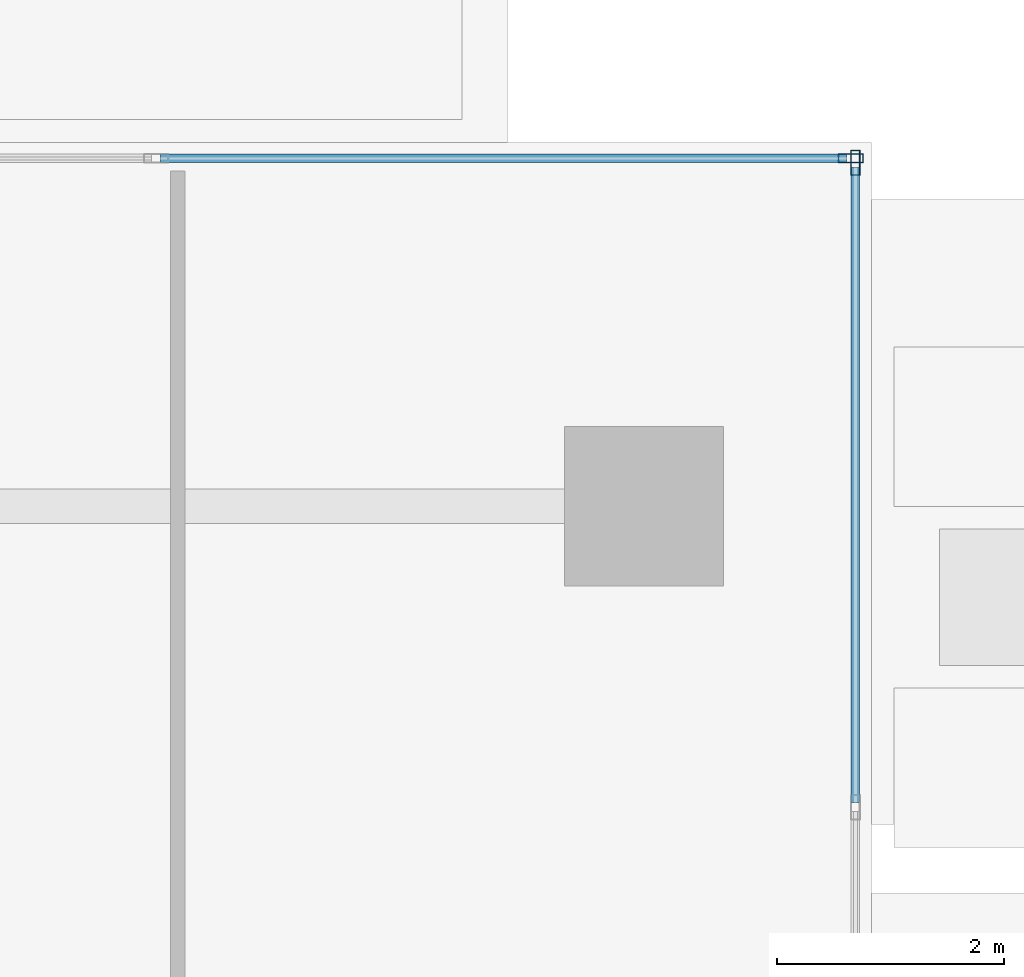
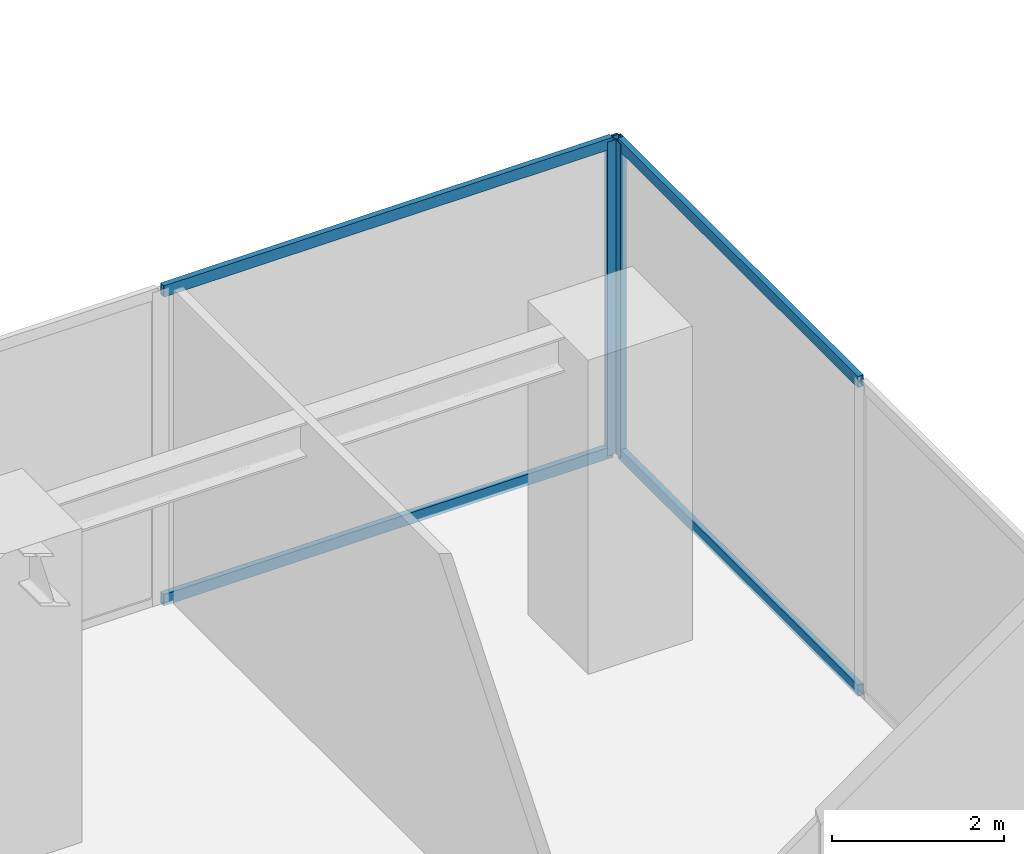
# One storey, part 7 of 17: 6 members, 2 elements without a shape of their own.
"""IFC4 building model written with IfcOpenShell, lengths in metres."""

from ifc_helpers import new_model, si_unit, direction, frame, origin, origin_with_axes, origin_2d, place, context, subcontext, project, spatial, hollow_rectangle, extrude, source, transform, mapped, material, layer, layer_set, material_profile, profile_set, type_object, element, aggregate, save


model = new_model("IFC4")

# Units and contexts
model_context = context("Model", 3, precision=1e-05, world=origin(), true_north=direction((0.0, 1.0)))
body_context = subcontext(model_context, "Body", "Model", "MODEL_VIEW")
ifc_project = project(units=[si_unit("LENGTHUNIT", "METRE"), si_unit("AREAUNIT", "SQUARE_METRE"), si_unit("VOLUMEUNIT", "CUBIC_METRE"), si_unit("PLANEANGLEUNIT", "RADIAN"), si_unit("MASSUNIT", "GRAM", prefix="KILO")], contexts=[model_context])

# Site, building, storey
site_placement = place(None, origin())
site = spatial("IfcSite", under=ifc_project, at=site_placement, CompositionType="ELEMENT")
building_placement = place(site_placement, origin())
building = spatial("IfcBuilding", under=site, at=building_placement, Name="Kolvaren Waterfront Exchange", CompositionType="ELEMENT")
storey_placement = place(building_placement, frame((0.0, 0.0, 5.60009765625)))
storey = spatial("IfcBuildingStorey", under=building, at=storey_placement, Name="L02", CompositionType="ELEMENT", Elevation=5.60009765625)

# Curtain wall, member
ifc_material_1 = material(Name="Anodised bronze aluminium 6063-T6", Category="aluminium")
ifc_layer_1 = layer(ifc_material_1, 0.219970703125, Name="Anodised bronze aluminium 6063-T6")
ifc_layer_set_1 = layer_set([ifc_layer_1], Name="Anodised bronze aluminium 6063-T6")
curtain_wall_type_1 = type_object("IfcCurtainWallType", Name="ARC-CW-SYS4", PredefinedType="USERDEFINED", material=ifc_layer_set_1)
curtain_wall_1_placement = place(storey_placement, origin())
curtain_wall_1 = element("IfcCurtainWall", 1, at=curtain_wall_1_placement, inside=storey, type_object=curtain_wall_type_1, Name="L02 stick curtain wall CW4 (CW-L02-N1)", ObjectType="STICK CURTAIN WALL", PredefinedType="USERDEFINED")
ifc_material_2 = material(Name="Anodised aluminium 6063-T6", Category="aluminium")
ifc_material_profile_1 = material_profile(ifc_material_2, hollow_rectangle(XDim=0.080078125, YDim=0.219970703125, WallThickness=0.0048828125, at=origin_2d()), Name="ALU-MUL-220x80x5")
ifc_profile_set_1 = profile_set([ifc_material_profile_1], Name="Anodised aluminium 6063-T6")
member_type_1 = type_object("IfcMemberType", Name="ARC-CWM-220", PredefinedType="MULLION", material=ifc_profile_set_1)
shared_shape_1 = source(origin_with_axes(), body_context, "Body", "SweptSolid", [
    extrude(hollow_rectangle(XDim=0.080078125, YDim=0.219970703125, WallThickness=0.0048828125, at=origin_2d()), origin(), (0.0, 0.0, 1.0), 4.4599609375),
])
member_1_placement = place(storey_placement, frame((37.260009765625, 51.02001953125, 0.0), z_axis=(0.0, 0.0, 1.0), x_axis=(-1.0, 0.0, 0.0)))
member_1 = element("IfcMember", 2, at=member_1_placement, type_object=member_type_1, Name="CW4 mullion 3", PredefinedType="MULLION", context=body_context, shape_type="MappedRepresentation", body=[
    mapped(shared_shape_1, transform((0.0, 0.0, 0.0), x_axis=(1.0, 0.0, 0.0), y_axis=(0.0, 1.0, 0.0), z_axis=(0.0, 0.0, 1.0), scale=1.0)),
])

ifc_layer_2 = layer(ifc_material_1, 0.219970703125, Name="Anodised bronze aluminium 6063-T6")
ifc_layer_set_2 = layer_set([ifc_layer_2], Name="Anodised bronze aluminium 6063-T6")
curtain_wall_type_2 = type_object("IfcCurtainWallType", Name="ARC-CW-SYS1", PredefinedType="USERDEFINED", material=ifc_layer_set_2)
curtain_wall_2_placement = place(storey_placement, origin())
curtain_wall_2 = element("IfcCurtainWall", 3, at=curtain_wall_2_placement, inside=storey, type_object=curtain_wall_type_2, Name="L02 stick curtain wall CW1 (CW-L02-N2)", ObjectType="STICK CURTAIN WALL", PredefinedType="USERDEFINED")
member_2_placement = place(storey_placement, frame((37.219970703125, 51.06005859375, 0.0), z_axis=(0.0, 0.0, 1.0), x_axis=(0.0, -1.0, 0.0)))
member_2 = element("IfcMember", 4, at=member_2_placement, type_object=member_type_1, Name="CW1 mullion 1", PredefinedType="MULLION", context=body_context, shape_type="MappedRepresentation", body=[
    mapped(shared_shape_1, transform((0.0, 0.0, 0.0), x_axis=(1.0, 0.0, 0.0), y_axis=(0.0, 1.0, 0.0), z_axis=(0.0, 0.0, 1.0), scale=1.0)),
])

# Member
ifc_material_profile_2 = material_profile(ifc_material_2, hollow_rectangle(XDim=0.074951171875, YDim=0.159912109375, WallThickness=0.00439453125, at=origin_2d()), Name="ALU-TRN-160x75x4.5")
ifc_profile_set_2 = profile_set([ifc_material_profile_2], Name="Anodised aluminium 6063-T6")
member_type_2 = type_object("IfcMemberType", Name="ARC-CWT-160", PredefinedType="USERDEFINED", material=ifc_profile_set_2)
shared_shape_2 = source(origin_with_axes(), body_context, "Body", "SweptSolid", [
    extrude(hollow_rectangle(XDim=0.074951171875, YDim=0.159912109375, WallThickness=0.00439453125, at=origin_2d()), origin(), (0.0, 0.0, 1.0), 5.5849609375),
])
member_3_placement = place(storey_placement, frame((37.260009765625, 45.39501953125, 0.037353515625), z_axis=(0.0, 1.0, 0.0), x_axis=(-1.0, 0.0, 0.0)))
member_3 = element("IfcMember", 5, at=member_3_placement, type_object=member_type_2, Name="CW4 transom 2.1", ObjectType="TRANSOM", PredefinedType="USERDEFINED", context=body_context, shape_type="MappedRepresentation", body=[
    mapped(shared_shape_2, transform((0.0, 0.0, 0.0), x_axis=(1.0, 0.0, 0.0), y_axis=(0.0, 1.0, 0.0), z_axis=(0.0, 0.0, 1.0), scale=1.0)),
])

member_4_placement = place(storey_placement, frame((37.260009765625, 45.39501953125, 4.42236328125), z_axis=(0.0, 1.0, 0.0), x_axis=(-1.0, 0.0, 0.0)))
member_4 = element("IfcMember", 6, at=member_4_placement, type_object=member_type_2, Name="CW4 transom 2.2", ObjectType="TRANSOM", PredefinedType="USERDEFINED", context=body_context, shape_type="MappedRepresentation", body=[
    mapped(shared_shape_2, transform((0.0, 0.0, 0.0), x_axis=(1.0, 0.0, 0.0), y_axis=(0.0, 1.0, 0.0), z_axis=(0.0, 0.0, 1.0), scale=1.0)),
])

aggregate(curtain_wall_1, [member_1, member_3, member_4])

shared_shape_3 = source(origin_with_axes(), body_context, "Body", "SweptSolid", [
    extrude(hollow_rectangle(XDim=0.074951171875, YDim=0.159912109375, WallThickness=0.00439453125, at=origin_2d()), origin(), (0.0, 0.0, 1.0), 6.031494140625),
])
member_5_placement = place(storey_placement, frame((37.179931640625, 51.06005859375, 0.037353515625), z_axis=(-1.0, 0.0, 0.0), x_axis=(0.0, -1.0, 0.0)))
member_5 = element("IfcMember", 7, at=member_5_placement, type_object=member_type_2, Name="CW1 transom 1.1", ObjectType="TRANSOM", PredefinedType="USERDEFINED", context=body_context, shape_type="MappedRepresentation", body=[
    mapped(shared_shape_3, transform((0.0, 0.0, 0.0), x_axis=(1.0, 0.0, 0.0), y_axis=(0.0, 1.0, 0.0), z_axis=(0.0, 0.0, 1.0), scale=1.0)),
])

member_6_placement = place(storey_placement, frame((37.179931640625, 51.06005859375, 4.42236328125), z_axis=(-1.0, 0.0, 0.0), x_axis=(0.0, -1.0, 0.0)))
member_6 = element("IfcMember", 8, at=member_6_placement, type_object=member_type_2, Name="CW1 transom 1.2", ObjectType="TRANSOM", PredefinedType="USERDEFINED", context=body_context, shape_type="MappedRepresentation", body=[
    mapped(shared_shape_3, transform((0.0, 0.0, 0.0), x_axis=(1.0, 0.0, 0.0), y_axis=(0.0, 1.0, 0.0), z_axis=(0.0, 0.0, 1.0), scale=1.0)),
])

aggregate(curtain_wall_2, [member_2, member_5, member_6])

save(model, "model.ifc")
